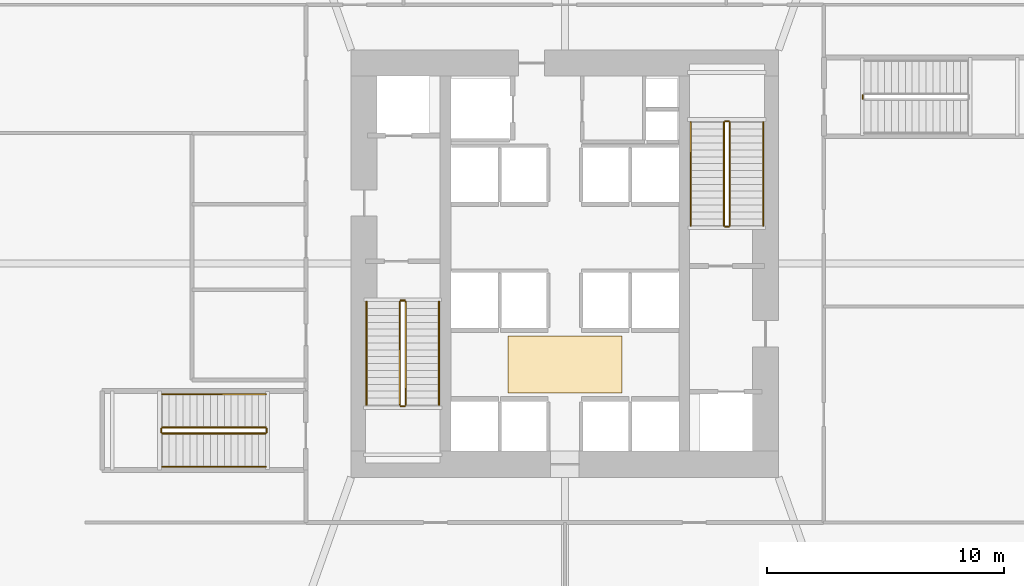
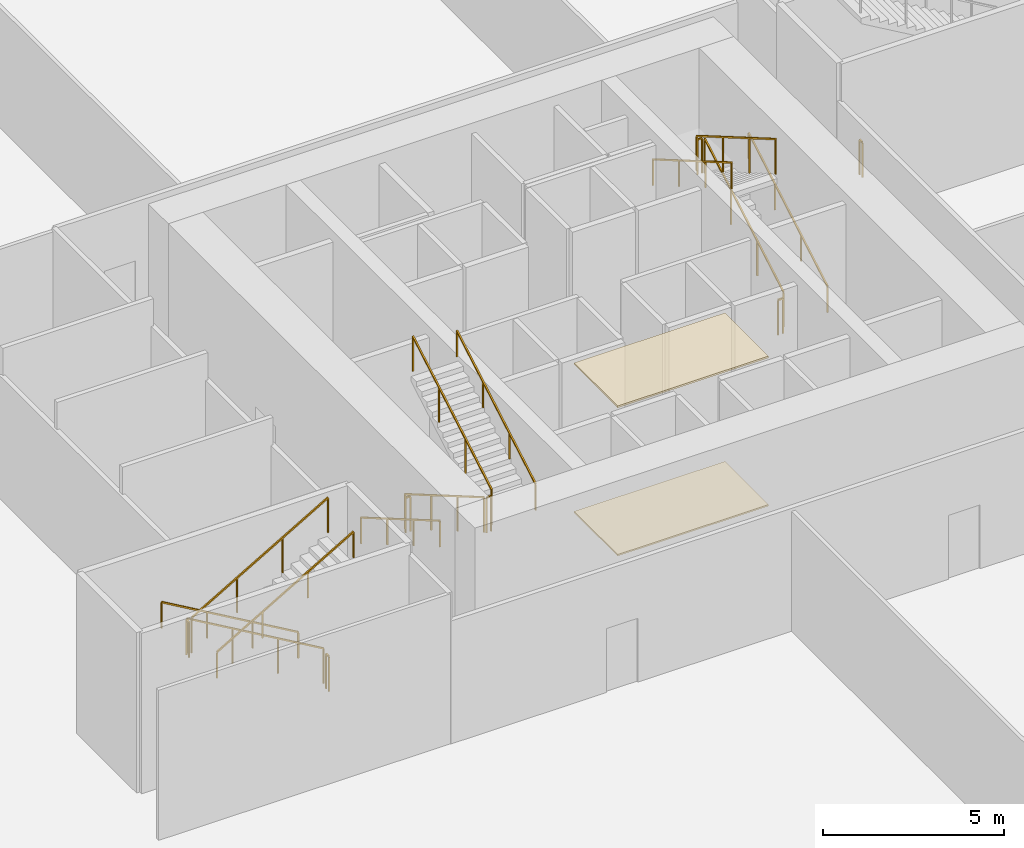
# One storey, part 23 of 24: 19 railings, 2 coverings.
"""IFC4 building model written with IfcOpenShell, lengths in metres."""

from ifc_helpers import new_model, si_unit, direction, frame, origin, origin_2d, place, context, subcontext, project, spatial, polyline, rectangle, outline, extrude, material, layer, layer_set, type_object, element, save


model = new_model("IFC4")

# Units and contexts
model_context = context("Model", 3, precision=1e-05, world=origin(), true_north=direction((0.0, 1.0)))
body_context = subcontext(model_context, "Body", "Model", "MODEL_VIEW")
ifc_project = project(units=[si_unit("LENGTHUNIT", "METRE"), si_unit("AREAUNIT", "SQUARE_METRE"), si_unit("VOLUMEUNIT", "CUBIC_METRE"), si_unit("PLANEANGLEUNIT", "RADIAN"), si_unit("MASSUNIT", "GRAM", prefix="KILO")], contexts=[model_context])

# Site, building, storey
site_placement = place(None, origin())
site = spatial("IfcSite", under=ifc_project, at=site_placement, CompositionType="ELEMENT")
building_placement = place(site_placement, origin())
building = spatial("IfcBuilding", under=site, at=building_placement, Name="Belovzor Exchange Tower", CompositionType="ELEMENT")
storey_placement = place(building_placement, frame((0.0, 0.0, 8.39990234375)))
storey = spatial("IfcBuildingStorey", under=building, at=storey_placement, Name="L02", CompositionType="ELEMENT", Elevation=8.39990234375)

# Railings
ifc_material_1 = material(Name="Stainless Steel Grade 304", Category="steel")
railing_type_1 = type_object("IfcRailingType", Name="Brushed Stainless Steel Stair Handrail 900", PredefinedType="HANDRAIL", material=ifc_material_1)
railing_1_placement = place(storey_placement, frame((20.449951171875, 27.199951171875, 0.1689453125)))
element("IfcRailing", 1, at=railing_1_placement, inside=storey, type_object=railing_type_1, Name="L02 ST-1 stair handrail 1", PredefinedType="HANDRAIL", context=body_context, shape_type="SweptSolid", body=[
    extrude(rectangle(XDim=0.048095703125, YDim=0.048095703125, at=origin_2d()), frame((0.0, 0.0, 0.8759765625), z_axis=(0.0, -0.864311530196, 0.502956835891), x_axis=(1.0, 0.0, 0.0)), (0.0, 0.0, 1.0), 5.03271484375),
    extrude(rectangle(XDim=0.0419921875, YDim=0.0419921875, at=origin_2d()), origin(), (0.0, 0.0, 1.0), 0.851806640625),
    extrude(rectangle(XDim=0.0419921875, YDim=0.0419921875, at=origin_2d()), frame((0.0, -1.449951171875, 0.84375)), (0.0, 0.0, 1.0), 0.851806640625),
    extrude(rectangle(XDim=0.0419921875, YDim=0.0419921875, at=origin_2d()), frame((0.0, -2.89990234375, 1.6875)), (0.0, 0.0, 1.0), 0.851806640625),
    extrude(rectangle(XDim=0.0419921875, YDim=0.0419921875, at=origin_2d()), frame((0.0, -4.349853515625, 2.53125)), (0.0, 0.0, 1.0), 0.851806640625),
])
railing_2_placement = place(storey_placement, frame((23.5, 22.85009765625, 2.868896484375)))
element("IfcRailing", 2, at=railing_2_placement, inside=storey, type_object=railing_type_1, Name="L02 ST-1 stair handrail 2", PredefinedType="HANDRAIL", context=body_context, shape_type="SweptSolid", body=[
    extrude(rectangle(XDim=0.048095703125, YDim=0.048095703125, at=origin_2d()), frame((0.0, 0.0, 0.8759765625), z_axis=(0.0, 0.864311530196, 0.502956835891), x_axis=(-1.0, 0.0, 0.0)), (0.0, 0.0, 1.0), 5.03271484375),
    extrude(rectangle(XDim=0.0419921875, YDim=0.0419921875, at=origin_2d()), origin(), (0.0, 0.0, 1.0), 0.851806640625),
    extrude(rectangle(XDim=0.0419921875, YDim=0.0419921875, at=origin_2d()), frame((0.0, 1.449951171875, 0.84375)), (0.0, 0.0, 1.0), 0.851806640625),
    extrude(rectangle(XDim=0.0419921875, YDim=0.0419921875, at=origin_2d()), frame((0.0, 2.89990234375, 1.6875)), (0.0, 0.0, 1.0), 0.851806640625),
    extrude(rectangle(XDim=0.0419921875, YDim=0.0419921875, at=origin_2d()), frame((0.0, 4.349853515625, 2.53125)), (0.0, 0.0, 1.0), 0.851806640625),
])
railing_3_placement = place(storey_placement, frame((37.14990234375, 30.39990234375, 0.1689453125)))
element("IfcRailing", 3, at=railing_3_placement, inside=storey, type_object=railing_type_1, Name="L02 ST-2 stair handrail 1", PredefinedType="HANDRAIL", context=body_context, shape_type="SweptSolid", body=[
    extrude(rectangle(XDim=0.048095703125, YDim=0.048095703125, at=origin_2d()), frame((0.0, 0.0, 0.8759765625), z_axis=(0.0, 0.864323800911, 0.50293574856), x_axis=(-1.0, 0.0, 0.0)), (0.0, 0.0, 1.0), 5.032958984375),
    extrude(rectangle(XDim=0.0419921875, YDim=0.0419921875, at=origin_2d()), origin(), (0.0, 0.0, 1.0), 0.851806640625),
    extrude(rectangle(XDim=0.0419921875, YDim=0.0419921875, at=origin_2d()), frame((0.0, 1.449951171875, 0.84375)), (0.0, 0.0, 1.0), 0.851806640625),
    extrude(rectangle(XDim=0.0419921875, YDim=0.0419921875, at=origin_2d()), frame((0.0, 2.900146484375, 1.6875)), (0.0, 0.0, 1.0), 0.851806640625),
    extrude(rectangle(XDim=0.0419921875, YDim=0.0419921875, at=origin_2d()), frame((0.0, 4.35009765625, 2.53125)), (0.0, 0.0, 1.0), 0.851806640625),
])
railing_4_placement = place(storey_placement, frame((34.10009765625, 34.75, 2.868896484375)))
element("IfcRailing", 4, at=railing_4_placement, inside=storey, type_object=railing_type_1, Name="L02 ST-2 stair handrail 2", PredefinedType="HANDRAIL", context=body_context, shape_type="SweptSolid", body=[
    extrude(rectangle(XDim=0.048095703125, YDim=0.048095703125, at=origin_2d()), frame((0.0, 0.0, 0.8759765625), z_axis=(0.0, -0.864323800911, 0.50293574856), x_axis=(1.0, 0.0, 0.0)), (0.0, 0.0, 1.0), 5.032958984375),
    extrude(rectangle(XDim=0.0419921875, YDim=0.0419921875, at=origin_2d()), origin(), (0.0, 0.0, 1.0), 0.851806640625),
    extrude(rectangle(XDim=0.0419921875, YDim=0.0419921875, at=origin_2d()), frame((0.0, -1.449951171875, 0.84375)), (0.0, 0.0, 1.0), 0.851806640625),
    extrude(rectangle(XDim=0.0419921875, YDim=0.0419921875, at=origin_2d()), frame((0.0, -2.900146484375, 1.6875)), (0.0, 0.0, 1.0), 0.851806640625),
    extrude(rectangle(XDim=0.0419921875, YDim=0.0419921875, at=origin_2d()), frame((0.0, -4.35009765625, 2.53125)), (0.0, 0.0, 1.0), 0.851806640625),
])
railing_5_placement = place(storey_placement, frame((16.199951171875, 23.300048828125, 0.1689453125)))
element("IfcRailing", 5, at=railing_5_placement, inside=storey, type_object=railing_type_1, Name="L02 ST-3 stair handrail 1", PredefinedType="HANDRAIL", context=body_context, shape_type="SweptSolid", body=[
    extrude(rectangle(XDim=0.048095703125, YDim=0.048095703125, at=origin_2d()), frame((0.0, 0.0, 0.8759765625), z_axis=(-0.864311530196, 0.0, 0.502956835891), x_axis=(0.0, -1.0, 0.0)), (0.0, 0.0, 1.0), 5.03271484375),
    extrude(rectangle(XDim=0.0419921875, YDim=0.0419921875, at=origin_2d()), origin(), (0.0, 0.0, 1.0), 0.851806640625),
    extrude(rectangle(XDim=0.0419921875, YDim=0.0419921875, at=origin_2d()), frame((-1.449951171875, 0.0, 0.84375)), (0.0, 0.0, 1.0), 0.851806640625),
    extrude(rectangle(XDim=0.0419921875, YDim=0.0419921875, at=origin_2d()), frame((-2.89990234375, 0.0, 1.6875)), (0.0, 0.0, 1.0), 0.851806640625),
    extrude(rectangle(XDim=0.0419921875, YDim=0.0419921875, at=origin_2d()), frame((-4.349853515625, 0.0, 2.53125)), (0.0, 0.0, 1.0), 0.851806640625),
])
railing_6_placement = place(storey_placement, frame((11.85009765625, 20.25, 2.868896484375)))
element("IfcRailing", 6, at=railing_6_placement, inside=storey, type_object=railing_type_1, Name="L02 ST-3 stair handrail 2", PredefinedType="HANDRAIL", context=body_context, shape_type="SweptSolid", body=[
    extrude(rectangle(XDim=0.048095703125, YDim=0.048095703125, at=origin_2d()), frame((0.0, 0.0, 0.8759765625), z_axis=(0.864311530196, 0.0, 0.502956835891), x_axis=(0.0, 1.0, 0.0)), (0.0, 0.0, 1.0), 5.03271484375),
    extrude(rectangle(XDim=0.0419921875, YDim=0.0419921875, at=origin_2d()), origin(), (0.0, 0.0, 1.0), 0.851806640625),
    extrude(rectangle(XDim=0.0419921875, YDim=0.0419921875, at=origin_2d()), frame((1.449951171875, 0.0, 0.84375)), (0.0, 0.0, 1.0), 0.851806640625),
    extrude(rectangle(XDim=0.0419921875, YDim=0.0419921875, at=origin_2d()), frame((2.89990234375, 0.0, 1.6875)), (0.0, 0.0, 1.0), 0.851806640625),
    extrude(rectangle(XDim=0.0419921875, YDim=0.0419921875, at=origin_2d()), frame((4.349853515625, 0.0, 2.53125)), (0.0, 0.0, 1.0), 0.851806640625),
])
ifc_material_2 = material(Name="Steel S355", Category="steel")
railing_type_2 = type_object("IfcRailingType", Name="Painted Steel Stairwell Guardrail 1200", PredefinedType="GUARDRAIL", material=ifc_material_2)
railing_7_placement = place(storey_placement, frame((21.85009765625, 27.199951171875, 0.1689453125)))
element("IfcRailing", 7, at=railing_7_placement, inside=storey, type_object=railing_type_2, Name="L02 ST-1 stair guard 1", PredefinedType="GUARDRAIL", context=body_context, shape_type="SweptSolid", body=[
    extrude(rectangle(XDim=0.048095703125, YDim=0.048095703125, at=origin_2d()), frame((0.0, 0.0, 1.17578125), z_axis=(0.0, -0.864311530196, 0.502956835891), x_axis=(1.0, 0.0, 0.0)), (0.0, 0.0, 1.0), 5.03271484375),
    extrude(rectangle(XDim=0.0419921875, YDim=0.0419921875, at=origin_2d()), origin(), (0.0, 0.0, 1.0), 1.15185546875),
    extrude(rectangle(XDim=0.0419921875, YDim=0.0419921875, at=origin_2d()), frame((0.0, -1.449951171875, 0.84375)), (0.0, 0.0, 1.0), 1.15185546875),
    extrude(rectangle(XDim=0.0419921875, YDim=0.0419921875, at=origin_2d()), frame((0.0, -2.89990234375, 1.6875)), (0.0, 0.0, 1.0), 1.15185546875),
    extrude(rectangle(XDim=0.0419921875, YDim=0.0419921875, at=origin_2d()), frame((0.0, -4.349853515625, 2.53125)), (0.0, 0.0, 1.0), 1.15185546875),
])
railing_8_placement = place(storey_placement, frame((21.89990234375, 22.800048828125, 2.7001953125)))
element("IfcRailing", 8, at=railing_8_placement, inside=storey, type_object=railing_type_2, Name="L02 ST-1 stair guard 2", PredefinedType="GUARDRAIL", context=body_context, shape_type="SweptSolid", body=[
    extrude(rectangle(XDim=0.048095703125, YDim=0.048095703125, at=origin_2d()), frame((0.0, 0.0, 1.17578125), z_axis=(1.0, 0.0, 0.0), x_axis=(0.0, 1.0, 0.0)), (0.0, 0.0, 1.0), 0.150146484375),
    extrude(rectangle(XDim=0.0419921875, YDim=0.0419921875, at=origin_2d()), origin(), (0.0, 0.0, 1.0), 1.15185546875),
    extrude(rectangle(XDim=0.0419921875, YDim=0.0419921875, at=origin_2d()), frame((0.150146484375, 0.0, 0.0)), (0.0, 0.0, 1.0), 1.15185546875),
])
railing_9_placement = place(storey_placement, frame((22.10009765625, 22.85009765625, 2.868896484375)))
element("IfcRailing", 9, at=railing_9_placement, inside=storey, type_object=railing_type_2, Name="L02 ST-1 stair guard 3", PredefinedType="GUARDRAIL", context=body_context, shape_type="SweptSolid", body=[
    extrude(rectangle(XDim=0.048095703125, YDim=0.048095703125, at=origin_2d()), frame((0.0, 0.0, 1.17578125), z_axis=(0.0, 0.864311530196, 0.502956835891), x_axis=(-1.0, 0.0, 0.0)), (0.0, 0.0, 1.0), 5.03271484375),
    extrude(rectangle(XDim=0.0419921875, YDim=0.0419921875, at=origin_2d()), origin(), (0.0, 0.0, 1.0), 1.15185546875),
    extrude(rectangle(XDim=0.0419921875, YDim=0.0419921875, at=origin_2d()), frame((0.0, 1.449951171875, 0.84375)), (0.0, 0.0, 1.0), 1.15185546875),
    extrude(rectangle(XDim=0.0419921875, YDim=0.0419921875, at=origin_2d()), frame((0.0, 2.89990234375, 1.6875)), (0.0, 0.0, 1.0), 1.15185546875),
    extrude(rectangle(XDim=0.0419921875, YDim=0.0419921875, at=origin_2d()), frame((0.0, 4.349853515625, 2.53125)), (0.0, 0.0, 1.0), 1.15185546875),
])
railing_10_placement = place(storey_placement, frame((21.89990234375, 27.25, 0.0)))
element("IfcRailing", 10, at=railing_10_placement, inside=storey, type_object=railing_type_2, Name="L02 ST-1 stair guard 4", PredefinedType="GUARDRAIL", context=body_context, shape_type="SweptSolid", body=[
    extrude(rectangle(XDim=0.048095703125, YDim=0.048095703125, at=origin_2d()), frame((0.0, 0.0, 1.17578125), z_axis=(1.0, 0.0, 0.0), x_axis=(0.0, 1.0, 0.0)), (0.0, 0.0, 1.0), 0.150146484375),
    extrude(rectangle(XDim=0.0419921875, YDim=0.0419921875, at=origin_2d()), origin(), (0.0, 0.0, 1.0), 1.15185546875),
    extrude(rectangle(XDim=0.0419921875, YDim=0.0419921875, at=origin_2d()), frame((0.150146484375, 0.0, 0.0)), (0.0, 0.0, 1.0), 1.15185546875),
])
railing_11_placement = place(storey_placement, frame((35.75, 30.39990234375, 0.1689453125)))
element("IfcRailing", 11, at=railing_11_placement, inside=storey, type_object=railing_type_2, Name="L02 ST-2 stair guard 1", PredefinedType="GUARDRAIL", context=body_context, shape_type="SweptSolid", body=[
    extrude(rectangle(XDim=0.048095703125, YDim=0.048095703125, at=origin_2d()), frame((0.0, 0.0, 1.17578125), z_axis=(0.0, 0.864323800911, 0.50293574856), x_axis=(-1.0, 0.0, 0.0)), (0.0, 0.0, 1.0), 5.032958984375),
    extrude(rectangle(XDim=0.0419921875, YDim=0.0419921875, at=origin_2d()), origin(), (0.0, 0.0, 1.0), 1.15185546875),
    extrude(rectangle(XDim=0.0419921875, YDim=0.0419921875, at=origin_2d()), frame((0.0, 1.449951171875, 0.84375)), (0.0, 0.0, 1.0), 1.15185546875),
    extrude(rectangle(XDim=0.0419921875, YDim=0.0419921875, at=origin_2d()), frame((0.0, 2.900146484375, 1.6875)), (0.0, 0.0, 1.0), 1.15185546875),
    extrude(rectangle(XDim=0.0419921875, YDim=0.0419921875, at=origin_2d()), frame((0.0, 4.35009765625, 2.53125)), (0.0, 0.0, 1.0), 1.15185546875),
])
railing_12_placement = place(storey_placement, frame((35.699951171875, 34.800048828125, 2.7001953125)))
element("IfcRailing", 12, at=railing_12_placement, inside=storey, type_object=railing_type_2, Name="L02 ST-2 stair guard 2", PredefinedType="GUARDRAIL", context=body_context, shape_type="SweptSolid", body=[
    extrude(rectangle(XDim=0.048095703125, YDim=0.048095703125, at=origin_2d()), frame((0.0, 0.0, 1.17578125), z_axis=(-1.0, 0.0, 0.0), x_axis=(0.0, -1.0, 0.0)), (0.0, 0.0, 1.0), 0.14990234375),
    extrude(rectangle(XDim=0.0419921875, YDim=0.0419921875, at=origin_2d()), origin(), (0.0, 0.0, 1.0), 1.15185546875),
    extrude(rectangle(XDim=0.0419921875, YDim=0.0419921875, at=origin_2d()), frame((-0.14990234375, 0.0, 0.0)), (0.0, 0.0, 1.0), 1.15185546875),
])
railing_13_placement = place(storey_placement, frame((35.5, 34.75, 2.868896484375)))
element("IfcRailing", 13, at=railing_13_placement, inside=storey, type_object=railing_type_2, Name="L02 ST-2 stair guard 3", PredefinedType="GUARDRAIL", context=body_context, shape_type="SweptSolid", body=[
    extrude(rectangle(XDim=0.048095703125, YDim=0.048095703125, at=origin_2d()), frame((0.0, 0.0, 1.17578125), z_axis=(0.0, -0.864323800911, 0.50293574856), x_axis=(1.0, 0.0, 0.0)), (0.0, 0.0, 1.0), 5.032958984375),
    extrude(rectangle(XDim=0.0419921875, YDim=0.0419921875, at=origin_2d()), origin(), (0.0, 0.0, 1.0), 1.15185546875),
    extrude(rectangle(XDim=0.0419921875, YDim=0.0419921875, at=origin_2d()), frame((0.0, -1.449951171875, 0.84375)), (0.0, 0.0, 1.0), 1.15185546875),
    extrude(rectangle(XDim=0.0419921875, YDim=0.0419921875, at=origin_2d()), frame((0.0, -2.900146484375, 1.6875)), (0.0, 0.0, 1.0), 1.15185546875),
    extrude(rectangle(XDim=0.0419921875, YDim=0.0419921875, at=origin_2d()), frame((0.0, -4.35009765625, 2.53125)), (0.0, 0.0, 1.0), 1.15185546875),
])
railing_14_placement = place(storey_placement, frame((35.699951171875, 30.35009765625, 0.0)))
element("IfcRailing", 14, at=railing_14_placement, inside=storey, type_object=railing_type_2, Name="L02 ST-2 stair guard 4", PredefinedType="GUARDRAIL", context=body_context, shape_type="SweptSolid", body=[
    extrude(rectangle(XDim=0.048095703125, YDim=0.048095703125, at=origin_2d()), frame((0.0, 0.0, 1.17578125), z_axis=(-1.0, 0.0, 0.0), x_axis=(0.0, -1.0, 0.0)), (0.0, 0.0, 1.0), 0.14990234375),
    extrude(rectangle(XDim=0.0419921875, YDim=0.0419921875, at=origin_2d()), origin(), (0.0, 0.0, 1.0), 1.15185546875),
    extrude(rectangle(XDim=0.0419921875, YDim=0.0419921875, at=origin_2d()), frame((-0.14990234375, 0.0, 0.0)), (0.0, 0.0, 1.0), 1.15185546875),
])
railing_15_placement = place(storey_placement, frame((16.199951171875, 21.89990234375, 0.1689453125)))
element("IfcRailing", 15, at=railing_15_placement, inside=storey, type_object=railing_type_2, Name="L02 ST-3 stair guard 1", PredefinedType="GUARDRAIL", context=body_context, shape_type="SweptSolid", body=[
    extrude(rectangle(XDim=0.048095703125, YDim=0.048095703125, at=origin_2d()), frame((0.0, 0.0, 1.17578125), z_axis=(-0.864311530196, 0.0, 0.502956835891), x_axis=(0.0, -1.0, 0.0)), (0.0, 0.0, 1.0), 5.03271484375),
    extrude(rectangle(XDim=0.0419921875, YDim=0.0419921875, at=origin_2d()), origin(), (0.0, 0.0, 1.0), 1.15185546875),
    extrude(rectangle(XDim=0.0419921875, YDim=0.0419921875, at=origin_2d()), frame((-1.449951171875, 0.0, 0.84375)), (0.0, 0.0, 1.0), 1.15185546875),
    extrude(rectangle(XDim=0.0419921875, YDim=0.0419921875, at=origin_2d()), frame((-2.89990234375, 0.0, 1.6875)), (0.0, 0.0, 1.0), 1.15185546875),
    extrude(rectangle(XDim=0.0419921875, YDim=0.0419921875, at=origin_2d()), frame((-4.349853515625, 0.0, 2.53125)), (0.0, 0.0, 1.0), 1.15185546875),
])
railing_16_placement = place(storey_placement, frame((11.800048828125, 21.85009765625, 2.7001953125)))
element("IfcRailing", 16, at=railing_16_placement, inside=storey, type_object=railing_type_2, Name="L02 ST-3 stair guard 2", PredefinedType="GUARDRAIL", context=body_context, shape_type="SweptSolid", body=[
    extrude(rectangle(XDim=0.048095703125, YDim=0.048095703125, at=origin_2d()), frame((0.0, 0.0, 1.17578125), z_axis=(0.0, -1.0, 0.0), x_axis=(1.0, 0.0, 0.0)), (0.0, 0.0, 1.0), 0.150146484375),
    extrude(rectangle(XDim=0.0419921875, YDim=0.0419921875, at=origin_2d()), origin(), (0.0, 0.0, 1.0), 1.15185546875),
    extrude(rectangle(XDim=0.0419921875, YDim=0.0419921875, at=origin_2d()), frame((0.0, -0.150146484375, 0.0)), (0.0, 0.0, 1.0), 1.15185546875),
])
railing_17_placement = place(storey_placement, frame((11.85009765625, 21.64990234375, 2.868896484375)))
element("IfcRailing", 17, at=railing_17_placement, inside=storey, type_object=railing_type_2, Name="L02 ST-3 stair guard 3", PredefinedType="GUARDRAIL", context=body_context, shape_type="SweptSolid", body=[
    extrude(rectangle(XDim=0.048095703125, YDim=0.048095703125, at=origin_2d()), frame((0.0, 0.0, 1.17578125), z_axis=(0.864311530196, 0.0, 0.502956835891), x_axis=(0.0, 1.0, 0.0)), (0.0, 0.0, 1.0), 5.03271484375),
    extrude(rectangle(XDim=0.0419921875, YDim=0.0419921875, at=origin_2d()), origin(), (0.0, 0.0, 1.0), 1.15185546875),
    extrude(rectangle(XDim=0.0419921875, YDim=0.0419921875, at=origin_2d()), frame((1.449951171875, 0.0, 0.84375)), (0.0, 0.0, 1.0), 1.15185546875),
    extrude(rectangle(XDim=0.0419921875, YDim=0.0419921875, at=origin_2d()), frame((2.89990234375, 0.0, 1.6875)), (0.0, 0.0, 1.0), 1.15185546875),
    extrude(rectangle(XDim=0.0419921875, YDim=0.0419921875, at=origin_2d()), frame((4.349853515625, 0.0, 2.53125)), (0.0, 0.0, 1.0), 1.15185546875),
])
railing_18_placement = place(storey_placement, frame((16.25, 21.85009765625, 0.0)))
element("IfcRailing", 18, at=railing_18_placement, inside=storey, type_object=railing_type_2, Name="L02 ST-3 stair guard 4", PredefinedType="GUARDRAIL", context=body_context, shape_type="SweptSolid", body=[
    extrude(rectangle(XDim=0.048095703125, YDim=0.048095703125, at=origin_2d()), frame((0.0, 0.0, 1.17578125), z_axis=(0.0, -1.0, 0.0), x_axis=(1.0, 0.0, 0.0)), (0.0, 0.0, 1.0), 0.150146484375),
    extrude(rectangle(XDim=0.0419921875, YDim=0.0419921875, at=origin_2d()), origin(), (0.0, 0.0, 1.0), 1.15185546875),
    extrude(rectangle(XDim=0.0419921875, YDim=0.0419921875, at=origin_2d()), frame((0.0, -0.150146484375, 0.0)), (0.0, 0.0, 1.0), 1.15185546875),
])
railing_19_placement = place(storey_placement, frame((41.35009765625, 35.75, 0.0)))
element("IfcRailing", 19, at=railing_19_placement, inside=storey, type_object=railing_type_2, Name="L02 ST-4 stair guard 4", PredefinedType="GUARDRAIL", context=body_context, shape_type="SweptSolid", body=[
    extrude(rectangle(XDim=0.048095703125, YDim=0.048095703125, at=origin_2d()), frame((0.0, 0.0, 1.17578125), z_axis=(0.0, 1.0, 0.0), x_axis=(-1.0, 0.0, 0.0)), (0.0, 0.0, 1.0), 0.14990234375),
    extrude(rectangle(XDim=0.0419921875, YDim=0.0419921875, at=origin_2d()), origin(), (0.0, 0.0, 1.0), 1.15185546875),
    extrude(rectangle(XDim=0.0419921875, YDim=0.0419921875, at=origin_2d()), frame((0.0, 0.14990234375, 0.0)), (0.0, 0.0, 1.0), 1.15185546875),
])

# Coverings
ifc_material_3 = material(Name="Perforated Powder-Coated Aluminium", Category="aluminium")
ifc_layer_1 = layer(ifc_material_3, 0.06005859375)
ifc_layer_set_1 = layer_set([ifc_layer_1], Name="Perforated Powder-Coated Aluminium")
covering_type_1 = type_object("IfcCoveringType", Name="Perforated Acoustic Metal Tile Suspended Ceiling 60", PredefinedType="CEILING", material=ifc_layer_set_1)
covering_1_placement = place(storey_placement, frame((0.0, 0.0, 4.989990234375)))
element("IfcCovering", 20, at=covering_1_placement, inside=storey, type_object=covering_type_1, Name="CLG-AC60 Suspended Ceiling CLG-L02-LOB", PredefinedType="CEILING", context=body_context, shape_type="SweptSolid", body=[
    extrude(outline(polyline([(26.39990234375, 23.35009765625), (31.199951171875, 23.35009765625), (31.199951171875, 25.75), (26.39990234375, 25.75), (26.39990234375, 23.35009765625)])), origin(), (0.0, 0.0, 1.0), 0.06005859375),
])
ifc_material_4 = material(Name="Polished Natural Granite Tile", Category="masonry")
ifc_layer_2 = layer(ifc_material_4, 0.050048828125)
ifc_layer_set_2 = layer_set([ifc_layer_2], Name="Polished Natural Granite Tile")
covering_type_2 = type_object("IfcCoveringType", Name="Polished Karelian Granite & Raised Access Floor Finish 50", PredefinedType="FLOORING", material=ifc_layer_set_2)
covering_2_placement = place(storey_placement, origin())
element("IfcCovering", 21, at=covering_2_placement, inside=storey, type_object=covering_type_2, Name="FLR-GR50 Floor Finish FLR-L02-LOB", PredefinedType="FLOORING", context=body_context, shape_type="SweptSolid", body=[
    extrude(outline(polyline([(26.39990234375, 23.35009765625), (31.199951171875, 23.35009765625), (31.199951171875, 25.75), (26.39990234375, 25.75), (26.39990234375, 23.35009765625)])), origin(), (0.0, 0.0, 1.0), 0.050048828125),
])

save(model, "model.ifc")
